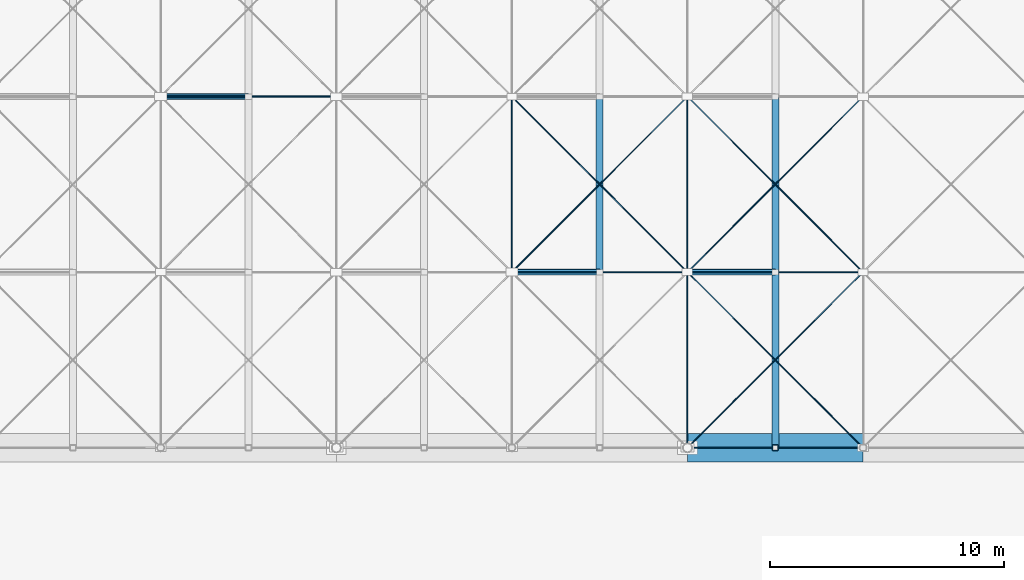
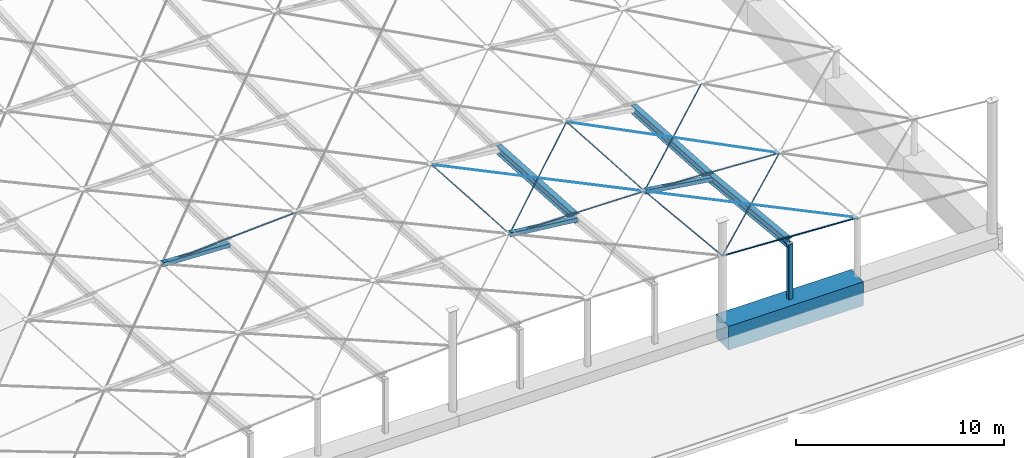
# One storey, part 4 of 17: 20 members, 1 beam.
"""IFC4 building model written with IfcOpenShell, lengths in metres."""

import ifcopenshell
import ifcopenshell.guid

model = None  # the IFC model being written
_history = None  # IfcOwnerHistory: only IFC2X3 demands one
_inside = {}  # id of a spatial element -> (the spatial element, [elements in it])
_under = {}  # id of a project, library or spatial element -> (it, [spatial elements below it])
_declared = {}  # id of a project -> (the project, [libraries it declares])
_typed = {}  # id of a type object -> (the type object, [elements of that type])
_made_of = {}  # id of a material, layer set ... -> (it, [elements and type objects made of it])


def new_model(schema):
    """Start an empty IFC model of exactly this schema.

    Asked for "IFC4X3", IfcOpenShell would pick the latest addendum, in which some entities
    have other attributes; the version numbers below select the first issue.
    IFC2X3 requires an IfcOwnerHistory on every rooted entity: one is made here for all.
    """
    global model, _history
    if schema == "IFC4X3":
        model = ifcopenshell.file(schema_version=(4, 3, 0, 0))
    else:
        model = ifcopenshell.file(schema=schema)
    _inside.clear()
    _under.clear()
    _declared.clear()
    _typed.clear()
    _made_of.clear()
    _history = None
    if model.schema == "IFC2X3":
        org = make("IfcOrganization", Name="unknown")
        user = make(
            "IfcPersonAndOrganization",
            ThePerson=make("IfcPerson", FamilyName="unknown"),
            TheOrganization=org,
        )
        app = make(
            "IfcApplication",
            ApplicationDeveloper=org,
            Version="unknown",
            ApplicationFullName="unknown",
            ApplicationIdentifier="unknown",
        )
        _history = make(
            "IfcOwnerHistory",
            OwningUser=user,
            OwningApplication=app,
            ChangeAction="ADDED",
            CreationDate=0,
        )
    return model


def make(cls, **values):
    """One entity of the class cls with the attributes given. An attribute that is None is left unset."""
    return model.create_entity(
        cls, **{name: value for name, value in values.items() if value is not None}
    )


def rooted(cls, **values):
    """An entity with a GlobalId (a new one), such as an element, a storey or a relation."""
    return make(cls, GlobalId=ifcopenshell.guid.new(), OwnerHistory=_history, **values)


def si_unit(unit_type, name, prefix=None):
    """IfcSIUnit, for example si_unit("LENGTHUNIT", "METRE", prefix="MILLI")."""
    return make("IfcSIUnit", UnitType=unit_type, Prefix=prefix, Name=name)


def assignment(units):
    """IfcUnitAssignment: the units of a project."""
    return None if units is None else make("IfcUnitAssignment", Units=units)


def point(xyz):
    """IfcCartesianPoint."""
    return None if xyz is None else make("IfcCartesianPoint", Coordinates=xyz)


def direction(xyz):
    """IfcDirection."""
    return None if xyz is None else make("IfcDirection", DirectionRatios=xyz)


def frame(location, z_axis=None, x_axis=None):
    """IfcAxis2Placement3D, a coordinate frame: its origin and axes. An axis left out is left unset."""
    return make(
        "IfcAxis2Placement3D",
        Location=point(location),
        Axis=direction(z_axis),
        RefDirection=direction(x_axis),
    )


def frame_2d(location, x_axis=None):
    """IfcAxis2Placement2D, a coordinate frame in the plane: its origin and x axis."""
    return make(
        "IfcAxis2Placement2D", Location=point(location), RefDirection=direction(x_axis)
    )


def origin():
    """The frame at (0, 0, 0) with its axes left unset."""
    return frame((0.0, 0.0, 0.0))


def origin_2d():
    """The frame at (0, 0) in the plane with its x axis left unset."""
    return frame_2d((0.0, 0.0))


def place(relative_to, where):
    """IfcLocalPlacement: puts the frame where relative to a parent placement (None: the world)."""
    return make(
        "IfcLocalPlacement", PlacementRelTo=relative_to, RelativePlacement=where
    )


def context(
    kind, dimensions, precision=None, world=None, true_north=None, identifier=None
):
    """IfcGeometricRepresentationContext, for example the 3D "Model" context."""
    return make(
        "IfcGeometricRepresentationContext",
        ContextIdentifier=identifier,
        ContextType=kind,
        CoordinateSpaceDimension=dimensions,
        Precision=precision,
        WorldCoordinateSystem=world,
        TrueNorth=true_north,
    )


def subcontext(parent, identifier, kind, view, scale=None):
    """IfcGeometricRepresentationSubContext, for example "Body" below "Model"."""
    return make(
        "IfcGeometricRepresentationSubContext",
        ContextIdentifier=identifier,
        ContextType=kind,
        ParentContext=parent,
        TargetScale=scale,
        TargetView=view,
    )


def project(units=None, contexts=None):
    """IfcProject with its units and contexts."""
    return rooted(
        "IfcProject",
        Name="project",
        RepresentationContexts=contexts,
        UnitsInContext=assignment(units),
    )


def spatial(cls, under=None, at=None, **own):
    """A site, building, storey or space (cls), placed at a placement, below another one or the project."""
    s = rooted(cls, ObjectPlacement=at, **own)
    if under is not None:
        _under.setdefault(under.id(), (under, []))[1].append(s)
    return s


def profile(cls, at=None, kind="AREA", **sizes):
    """A parametric profile (cls). Its sizes go by their IFC names, for example OverallWidth=200.0."""
    return make(cls, ProfileType=kind, Position=at, **sizes)


def rectangle(**sizes):
    """IfcRectangleProfileDef."""
    return profile("IfcRectangleProfileDef", **sizes)


def hollow_rectangle(**sizes):
    """IfcRectangleHollowProfileDef."""
    return profile("IfcRectangleHollowProfileDef", **sizes)


def circle(**sizes):
    """IfcCircleProfileDef."""
    return profile("IfcCircleProfileDef", **sizes)


def i_section(**sizes):
    """IfcIShapeProfileDef."""
    return profile("IfcIShapeProfileDef", **sizes)


def extrude(swept, where, along, depth):
    """IfcExtrudedAreaSolid: the profile swept, set in the frame where, extruded along a direction by depth."""
    return make(
        "IfcExtrudedAreaSolid",
        SweptArea=swept,
        Position=where,
        ExtrudedDirection=direction(along),
        Depth=depth,
    )


def shape(context_of_items, identifier, shape_type, items):
    """IfcShapeRepresentation: the items that make up one representation, for example the "Body"."""
    return make(
        "IfcShapeRepresentation",
        ContextOfItems=context_of_items,
        RepresentationIdentifier=identifier,
        RepresentationType=shape_type,
        Items=items,
    )


def material(Name=None, Category=None):
    """IfcMaterial."""
    return make("IfcMaterial", Name=Name, Category=Category)


def material_profile(
    of_material, cross_section, Name=None, Category=None, Priority=None
):
    """IfcMaterialProfile: a cross section and its material."""
    return make(
        "IfcMaterialProfile",
        Name=Name,
        Material=of_material,
        Profile=cross_section,
        Priority=Priority,
        Category=Category,
    )


def profile_set(profiles, Name=None, composite=None):
    """IfcMaterialProfileSet."""
    return make(
        "IfcMaterialProfileSet",
        Name=Name,
        MaterialProfiles=profiles,
        CompositeProfile=composite,
    )


def made_of(thing, what):
    """Note that an element or type object is made of a material, layer set ...; save() writes the relation."""
    if what is not None:
        _made_of.setdefault(what.id(), (what, []))[1].append(thing)
    return thing


def type_object(cls, material=None, **own):
    """A type object (cls), such as IfcWallType, which elements share."""
    return made_of(rooted(cls, **own), material)


def element(
    cls,
    number,
    at=None,
    inside=None,
    cuts=None,
    type_object=None,
    material=None,
    context=None,
    identifier="Body",
    shape_type=None,
    held_by="IfcProductDefinitionShape",
    body=None,
    shapes=None,
    **own,
):
    """One element of the class cls, such as IfcWall. Its Tag is "e" and its number.

    at: its placement. inside: the storey or other place that contains it. cuts: it is an
    opening in that element (IfcRelVoidsElement). A single representation is given by context,
    identifier, shape_type and body (its items); several are given by shapes. held_by: the class
    of the entity that holds the representations. save() writes the other relations.
    """
    e = rooted(cls, Tag="e%d" % number, ObjectPlacement=at, **own)
    if body is not None:
        shapes = [shape(context, identifier, shape_type, body)]
    if shapes is not None:
        e.Representation = make(held_by, Representations=shapes)
    if inside is not None:
        _inside.setdefault(inside.id(), (inside, []))[1].append(e)
    if cuts is not None:
        rooted(
            "IfcRelVoidsElement", RelatingBuildingElement=cuts, RelatedOpeningElement=e
        )
    if type_object is not None:
        _typed.setdefault(type_object.id(), (type_object, []))[1].append(e)
    return made_of(e, material)


def aggregate(whole, parts):
    """IfcRelAggregates: a whole, such as a stair, and the parts it consists of."""
    return rooted("IfcRelAggregates", RelatingObject=whole, RelatedObjects=parts)


def save(model, path):
    """Write the relations noted so far, then the file.

    IfcRelAggregates (storeys below a building ...), IfcRelContainedInSpatialStructure (elements
    in a storey), IfcRelDefinesByType, IfcRelAssociatesMaterial and IfcRelDeclares: one each for
    every whole, place, type object, material and project.
    """
    for whole, parts in _under.values():
        aggregate(whole, parts)
    for where, things in _inside.values():
        rooted(
            "IfcRelContainedInSpatialStructure",
            RelatedElements=things,
            RelatingStructure=where,
        )
    for kind, things in _typed.values():
        rooted("IfcRelDefinesByType", RelatedObjects=things, RelatingType=kind)
    for what, things in _made_of.values():
        rooted("IfcRelAssociatesMaterial", RelatedObjects=things, RelatingMaterial=what)
    for by, libraries in _declared.values():
        rooted("IfcRelDeclares", RelatingContext=by, RelatedDefinitions=libraries)
    model.write(path)


model = new_model("IFC4")

# Units and contexts
model_context = context("Model", 3, precision=1e-05, world=origin(), true_north=direction((0.0, 1.0)))
body_context = subcontext(model_context, "Body", "Model", "MODEL_VIEW")
ifc_project = project(units=[si_unit("LENGTHUNIT", "METRE"), si_unit("AREAUNIT", "SQUARE_METRE"), si_unit("VOLUMEUNIT", "CUBIC_METRE"), si_unit("PLANEANGLEUNIT", "RADIAN"), si_unit("MASSUNIT", "GRAM", prefix="KILO")], contexts=[model_context])

# Site, building, storey
site_placement = place(None, origin())
site = spatial("IfcSite", under=ifc_project, at=site_placement, CompositionType="ELEMENT")
building_placement = place(site_placement, origin())
building = spatial("IfcBuilding", under=site, at=building_placement, Name="Qasida Concert Hall", CompositionType="ELEMENT")
storey_placement = place(building_placement, frame((0.0, 0.0, 25.199951171875)))
storey = spatial("IfcBuildingStorey", under=building, at=storey_placement, Name="RF", CompositionType="ELEMENT", Elevation=25.199951171875)

# Beam
ifc_material_1 = material(Name="Concrete C50/60", Category="concrete")
ifc_material_profile_1 = material_profile(ifc_material_1, rectangle(XDim=1.199951171875, YDim=1.39990234375, at=origin_2d()), Name="RC 1200x1400")
ifc_profile_set_1 = profile_set([ifc_material_profile_1], Name="Concrete C50/60")
beam_type = type_object("IfcBeamType", Name="BM-RB1", PredefinedType="USERDEFINED", material=ifc_profile_set_1)
beam_placement = place(storey_placement, frame((90.0, 22.5, 0.0), z_axis=(1.0, 0.0, 0.0), x_axis=(0.0, 1.0, 0.0)))
element("IfcBeam", 1, at=beam_placement, inside=storey, type_object=beam_type, Name="Ring beam RB-004", ObjectType="GIRDER", PredefinedType="USERDEFINED", context=body_context, shape_type="SweptSolid", body=[
    extrude(rectangle(XDim=1.199951171875, YDim=1.39990234375, at=origin_2d()), origin(), (0.0, 0.0, 1.0), 7.5),
])

# Members
ifc_material_2 = material(Name="Steel S460N spiral strand EN 12385", Category="steel")
ifc_material_profile_2 = material_profile(ifc_material_2, circle(Radius=0.031982421875, at=origin_2d()), Name="STRAND D64")
ifc_profile_set_2 = profile_set([ifc_material_profile_2], Name="Steel S460N spiral strand EN 12385")
member_type_1 = type_object("IfcMemberType", Name="MB-CC1", PredefinedType="USERDEFINED", material=ifc_profile_set_2)
member_1_placement = place(storey_placement, frame((90.0, 22.5, 4.49267578125), z_axis=(0.998708175982, 0.0, -0.050813179657), x_axis=(0.0, 1.0, 0.0)))
element("IfcMember", 2, at=member_1_placement, inside=storey, type_object=member_type_1, Name="Roof cable CC-006", ObjectType="TENSION_CABLE", PredefinedType="USERDEFINED", context=body_context, shape_type="SweptSolid", body=[
    extrude(circle(Radius=0.031982421875, at=origin_2d()), origin(), (0.0, 0.0, 1.0), 7.509765625),
])
member_2_placement = place(storey_placement, frame((67.5, 37.5, 2.796142578125), z_axis=(0.998385056234, 0.0, 0.056809149684), x_axis=(0.0, 1.0, 0.0)))
element("IfcMember", 3, at=member_2_placement, inside=storey, type_object=member_type_1, Name="Roof cable CC-017", ObjectType="TENSION_CABLE", PredefinedType="USERDEFINED", context=body_context, shape_type="SweptSolid", body=[
    extrude(circle(Radius=0.031982421875, at=origin_2d()), origin(), (0.0, 0.0, 1.0), 7.51220703125),
])
ifc_material_profile_3 = material_profile(ifc_material_2, circle(Radius=0.027099609375, at=origin_2d()), Name="STRAND D54")
ifc_profile_set_3 = profile_set([ifc_material_profile_3], Name="Steel S460N spiral strand EN 12385")
member_type_2 = type_object("IfcMemberType", Name="MB-CC2", PredefinedType="USERDEFINED", material=ifc_profile_set_3)
member_3_placement = place(storey_placement, frame((82.5, 30.0, 3.85498046875), z_axis=(0.999887909135, 0.0, -0.014972279889), x_axis=(0.0, 1.0, 0.0)))
element("IfcMember", 4, at=member_3_placement, inside=storey, type_object=member_type_2, Name="Roof cable CC-012", ObjectType="TENSION_CABLE", PredefinedType="USERDEFINED", context=body_context, shape_type="SweptSolid", body=[
    extrude(circle(Radius=0.027099609375, at=origin_2d()), origin(), (0.0, 0.0, 1.0), 7.500732421875),
])
member_4_placement = place(storey_placement, frame((90.0, 30.0, 3.74267578125), z_axis=(0.998708175982, 0.0, -0.050813179657), x_axis=(0.0, 1.0, 0.0)))
element("IfcMember", 5, at=member_4_placement, inside=storey, type_object=member_type_2, Name="Roof cable CC-013", ObjectType="TENSION_CABLE", PredefinedType="USERDEFINED", context=body_context, shape_type="SweptSolid", body=[
    extrude(circle(Radius=0.027099609375, at=origin_2d()), origin(), (0.0, 0.0, 1.0), 7.509765625),
])
ifc_material_3 = material(Name="Steel S355J2", Category="steel")
ifc_material_profile_4 = material_profile(ifc_material_3, i_section(OverallWidth=0.300048828125, OverallDepth=0.489990234375, WebThickness=0.011962890625, FlangeThickness=0.02294921875, FilletRadius=0.027099609375, at=origin_2d()), Name="HEA 500")
ifc_profile_set_4 = profile_set([ifc_material_profile_4], Name="Steel S355J2")
member_type_3 = type_object("IfcMemberType", Name="MB-PR3", PredefinedType="PURLIN", material=ifc_profile_set_4)
member_5_placement = place(storey_placement, frame((86.25, 30.0, 3.4423828125), z_axis=(0.0, 0.998001687114, -0.063187281297), x_axis=(-1.0, 0.0, 0.0)))
element("IfcMember", 6, at=member_5_placement, inside=storey, type_object=member_type_3, Name="Cable-net secondary rib RFR-062", PredefinedType="PURLIN", context=body_context, shape_type="SweptSolid", body=[
    extrude(i_section(OverallWidth=0.300048828125, OverallDepth=0.489990234375, WebThickness=0.011962890625, FlangeThickness=0.02294921875, FilletRadius=0.027099609375, at=origin_2d()), origin(), (0.0, 0.0, 1.0), 7.51513671875),
])
member_6_placement = place(storey_placement, frame((93.75, 22.5, 3.945556640625), z_axis=(0.0, 0.99503719021, -0.099503719021), x_axis=(-1.0, 0.0, 0.0)))
element("IfcMember", 7, at=member_6_placement, inside=storey, type_object=member_type_3, Name="Cable-net secondary rib RFR-078", PredefinedType="PURLIN", context=body_context, shape_type="SweptSolid", body=[
    extrude(i_section(OverallWidth=0.300048828125, OverallDepth=0.489990234375, WebThickness=0.011962890625, FlangeThickness=0.02294921875, FilletRadius=0.027099609375, at=origin_2d()), origin(), (0.0, 0.0, 1.0), 7.537353515625),
])
member_7_placement = place(storey_placement, frame((93.75, 30.0, 3.195556640625), z_axis=(0.0, 0.997999637928, -0.063219638522), x_axis=(-1.0, 0.0, 0.0)))
element("IfcMember", 8, at=member_7_placement, inside=storey, type_object=member_type_3, Name="Cable-net secondary rib RFR-079", PredefinedType="PURLIN", context=body_context, shape_type="SweptSolid", body=[
    extrude(i_section(OverallWidth=0.300048828125, OverallDepth=0.489990234375, WebThickness=0.011962890625, FlangeThickness=0.02294921875, FilletRadius=0.027099609375, at=origin_2d()), origin(), (0.0, 0.0, 1.0), 7.51513671875),
])
ifc_material_profile_5 = material_profile(ifc_material_2, circle(Radius=0.02197265625, at=origin_2d()), Name="STRAND D44")
ifc_profile_set_5 = profile_set([ifc_material_profile_5], Name="Steel S460N spiral strand EN 12385")
member_type_4 = type_object("IfcMemberType", Name="MB-SC1", PredefinedType="USERDEFINED", material=ifc_profile_set_5)
member_8_placement = place(storey_placement, frame((82.5, 30.0, 3.85498046875), z_axis=(0.0, 0.997999637928, -0.063219638522), x_axis=(-1.0, 0.0, 0.0)))
element("IfcMember", 9, at=member_8_placement, inside=storey, type_object=member_type_4, Name="Roof cable SC-034", ObjectType="TENSION_CABLE", PredefinedType="USERDEFINED", context=body_context, shape_type="SweptSolid", body=[
    extrude(circle(Radius=0.02197265625, at=origin_2d()), origin(), (0.0, 0.0, 1.0), 7.51513671875),
])
member_9_placement = place(storey_placement, frame((90.0, 22.5, 4.49267578125), z_axis=(0.0, 0.99503719021, -0.099503719021), x_axis=(-1.0, 0.0, 0.0)))
element("IfcMember", 10, at=member_9_placement, inside=storey, type_object=member_type_4, Name="Roof cable SC-041", ObjectType="TENSION_CABLE", PredefinedType="USERDEFINED", context=body_context, shape_type="SweptSolid", body=[
    extrude(circle(Radius=0.02197265625, at=origin_2d()), origin(), (0.0, 0.0, 1.0), 7.537353515625),
])
member_10_placement = place(storey_placement, frame((90.0, 30.0, 3.74267578125), z_axis=(0.0, 0.998001687114, -0.063187281297), x_axis=(-1.0, 0.0, 0.0)))
element("IfcMember", 11, at=member_10_placement, inside=storey, type_object=member_type_4, Name="Roof cable SC-042", ObjectType="TENSION_CABLE", PredefinedType="USERDEFINED", context=body_context, shape_type="SweptSolid", body=[
    extrude(circle(Radius=0.02197265625, at=origin_2d()), origin(), (0.0, 0.0, 1.0), 7.51513671875),
])
member_11_placement = place(storey_placement, frame((82.5, 30.0, 3.85498046875), z_axis=(0.706025805361, 0.706025805361, -0.055273179098), x_axis=(-0.707106781187, 0.707106781187, 0.0)))
element("IfcMember", 12, at=member_11_placement, inside=storey, type_object=member_type_4, Name="Roof cable diagonal DC-067", ObjectType="TENSION_CABLE", PredefinedType="USERDEFINED", context=body_context, shape_type="SweptSolid", body=[
    extrude(circle(Radius=0.02197265625, at=origin_2d()), origin(), (0.0, 0.0, 1.0), 10.622802734375),
])
member_12_placement = place(storey_placement, frame((82.5, 37.5, 3.3798828125), z_axis=(0.706693505995, -0.706693505995, 0.034184458005), x_axis=(0.707106781187, 0.707106781187, 0.0)))
element("IfcMember", 13, at=member_12_placement, inside=storey, type_object=member_type_4, Name="Roof cable diagonal DC-068", ObjectType="TENSION_CABLE", PredefinedType="USERDEFINED", context=body_context, shape_type="SweptSolid", body=[
    extrude(circle(Radius=0.02197265625, at=origin_2d()), origin(), (0.0, 0.0, 1.0), 10.61279296875),
])
member_13_placement = place(storey_placement, frame((90.0, 22.5, 4.49267578125), z_axis=(0.70311658876, 0.70311658876, -0.106085461878), x_axis=(-0.707106781187, 0.707106781187, 0.0)))
element("IfcMember", 14, at=member_13_placement, inside=storey, type_object=member_type_4, Name="Roof cable diagonal DC-081", ObjectType="TENSION_CABLE", PredefinedType="USERDEFINED", context=body_context, shape_type="SweptSolid", body=[
    extrude(circle(Radius=0.02197265625, at=origin_2d()), origin(), (0.0, 0.0, 1.0), 10.666748046875),
])
member_14_placement = place(storey_placement, frame((90.0, 30.0, 3.74267578125), z_axis=(0.706680625467, -0.706680625467, 0.034712925255), x_axis=(0.707106781187, 0.707106781187, 0.0)))
element("IfcMember", 15, at=member_14_placement, inside=storey, type_object=member_type_4, Name="Roof cable diagonal DC-082", ObjectType="TENSION_CABLE", PredefinedType="USERDEFINED", context=body_context, shape_type="SweptSolid", body=[
    extrude(circle(Radius=0.02197265625, at=origin_2d()), origin(), (0.0, 0.0, 1.0), 10.613037109375),
])
member_15_placement = place(storey_placement, frame((90.0, 30.0, 3.74267578125), z_axis=(0.704811527228, 0.704811527228, -0.080507280242), x_axis=(-0.707106781187, 0.707106781187, 0.0)))
element("IfcMember", 16, at=member_15_placement, inside=storey, type_object=member_type_4, Name="Roof cable diagonal DC-083", ObjectType="TENSION_CABLE", PredefinedType="USERDEFINED", context=body_context, shape_type="SweptSolid", body=[
    extrude(circle(Radius=0.02197265625, at=origin_2d()), origin(), (0.0, 0.0, 1.0), 10.64111328125),
])
member_16_placement = place(storey_placement, frame((90.0, 37.5, 3.267822265625), z_axis=(0.707079448386, -0.707079448386, 0.008792459287), x_axis=(0.707106781187, 0.707106781187, 0.0)))
element("IfcMember", 17, at=member_16_placement, inside=storey, type_object=member_type_4, Name="Roof cable diagonal DC-084", ObjectType="TENSION_CABLE", PredefinedType="USERDEFINED", context=body_context, shape_type="SweptSolid", body=[
    extrude(circle(Radius=0.02197265625, at=origin_2d()), origin(), (0.0, 0.0, 1.0), 10.60693359375),
])
ifc_material_profile_6 = material_profile(ifc_material_3, hollow_rectangle(XDim=0.25, YDim=0.25, WallThickness=0.012451171875, InnerFilletRadius=0.012451171875, OuterFilletRadius=0.02490234375, at=origin_2d()), Name="SHS 250x250x12.5")
ifc_profile_set_6 = profile_set([ifc_material_profile_6], Name="Steel S355J2")
member_type_5 = type_object("IfcMemberType", Name="MB-ST5", PredefinedType="STRUT", material=ifc_profile_set_6)
member_17_placement = place(storey_placement, frame((67.5, 37.5, 2.796142578125), z_axis=(0.999275518753, 0.0, -0.038058344953), x_axis=(0.0, 1.0, 0.0)))
element("IfcMember", 18, at=member_17_placement, inside=storey, type_object=member_type_5, Name="Cable-net rib hanger strut RFRH-021", PredefinedType="STRUT", context=body_context, shape_type="SweptSolid", body=[
    extrude(hollow_rectangle(XDim=0.25, YDim=0.25, WallThickness=0.012451171875, InnerFilletRadius=0.012451171875, OuterFilletRadius=0.02490234375, at=origin_2d()), origin(), (0.0, 0.0, 1.0), 3.752685546875),
])
member_18_placement = place(storey_placement, frame((82.5, 30.0, 3.85498046875), z_axis=(0.994001542248, 0.0, -0.109366055104), x_axis=(0.0, 1.0, 0.0)))
element("IfcMember", 19, at=member_18_placement, inside=storey, type_object=member_type_5, Name="Cable-net rib hanger strut RFRH-054", PredefinedType="STRUT", context=body_context, shape_type="SweptSolid", body=[
    extrude(hollow_rectangle(XDim=0.25, YDim=0.25, WallThickness=0.012451171875, InnerFilletRadius=0.012451171875, OuterFilletRadius=0.02490234375, at=origin_2d()), origin(), (0.0, 0.0, 1.0), 3.772705078125),
])
member_19_placement = place(storey_placement, frame((93.75, 22.5, 0.0), z_axis=(0.0, 0.0, 1.0), x_axis=(1.0, 0.0, 0.0)))
element("IfcMember", 20, at=member_19_placement, inside=storey, type_object=member_type_5, Name="Cable-net rib post RFRE-069", PredefinedType="STRUT", context=body_context, shape_type="SweptSolid", body=[
    extrude(hollow_rectangle(XDim=0.25, YDim=0.25, WallThickness=0.012451171875, InnerFilletRadius=0.012451171875, OuterFilletRadius=0.02490234375, at=origin_2d()), origin(), (0.0, 0.0, 1.0), 3.945556640625),
])
member_20_placement = place(storey_placement, frame((90.0, 30.0, 3.74267578125), z_axis=(0.989523779804, 0.0, -0.144369973342), x_axis=(0.0, 1.0, 0.0)))
element("IfcMember", 21, at=member_20_placement, inside=storey, type_object=member_type_5, Name="Cable-net rib hanger strut RFRH-071", PredefinedType="STRUT", context=body_context, shape_type="SweptSolid", body=[
    extrude(hollow_rectangle(XDim=0.25, YDim=0.25, WallThickness=0.012451171875, InnerFilletRadius=0.012451171875, OuterFilletRadius=0.02490234375, at=origin_2d()), origin(), (0.0, 0.0, 1.0), 3.789794921875),
])

save(model, "model.ifc")
